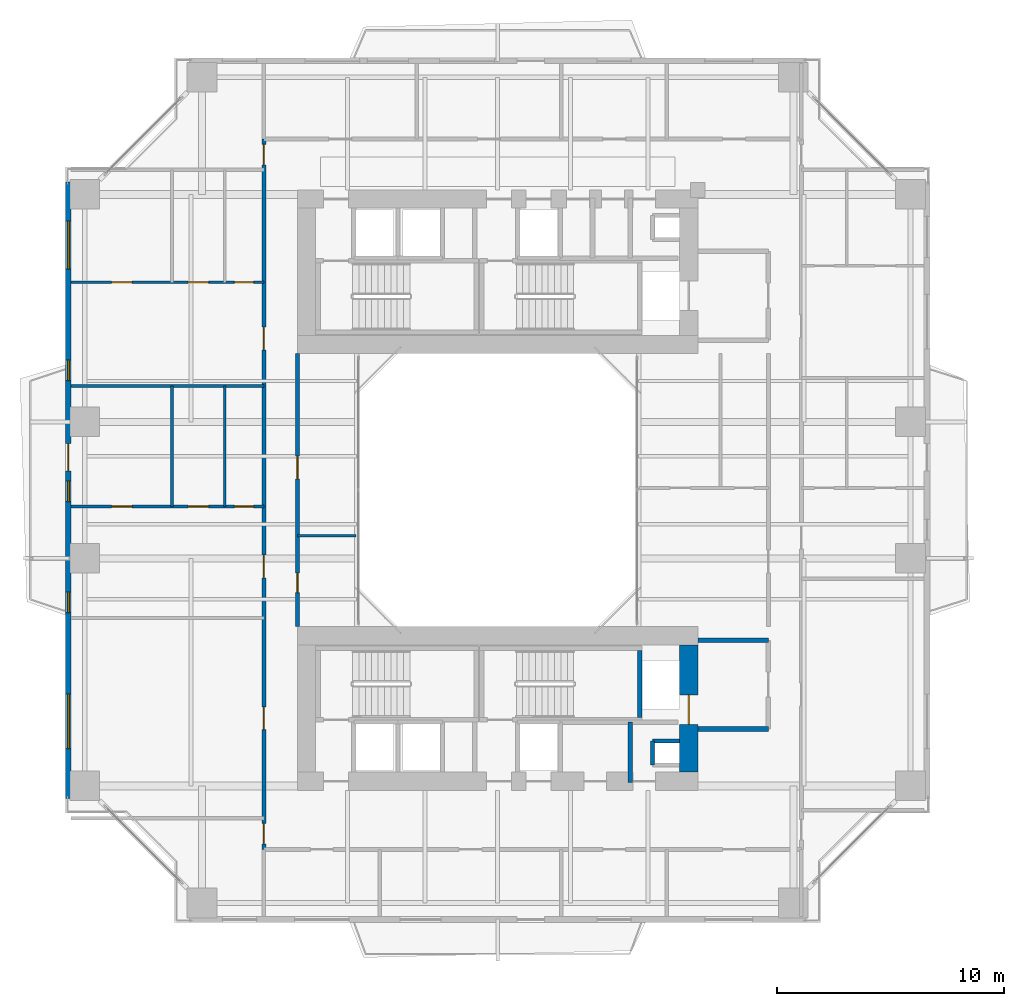
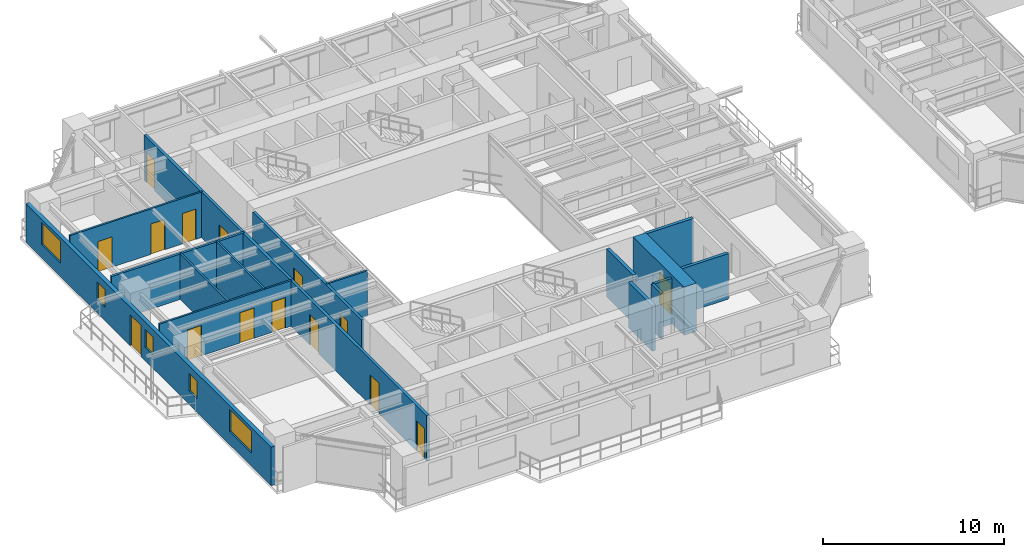
# One storey, part 13 of 23: 16 walls, 15 doors, 5 windows, 20 openings.
"""IFC4 building model written with IfcOpenShell, lengths in metres."""

from ifc_helpers import new_model, si_unit, direction, frame, frame_2d, origin, place, context, subcontext, project, spatial, rectangle, extrude, source, transform, mapped, material, layer, layer_set, type_object, element, fill, save


model = new_model("IFC4")

# Units and contexts
model_context = context("Model", 3, precision=1e-05, world=origin(), true_north=direction((0.0, 1.0)))
body_context = subcontext(model_context, "Body", "Model", "MODEL_VIEW")
ifc_project = project(units=[si_unit("LENGTHUNIT", "METRE"), si_unit("AREAUNIT", "SQUARE_METRE"), si_unit("VOLUMEUNIT", "CUBIC_METRE"), si_unit("PLANEANGLEUNIT", "RADIAN"), si_unit("MASSUNIT", "GRAM", prefix="KILO"), si_unit("THERMODYNAMICTEMPERATUREUNIT", "KELVIN"), si_unit("POWERUNIT", "WATT")], contexts=[model_context])

# Site, building, storey
site_placement = place(None, origin())
site = spatial("IfcSite", under=ifc_project, at=site_placement, CompositionType="ELEMENT")
building_placement = place(site_placement, origin())
building = spatial("IfcBuilding", under=site, at=building_placement, Name="Qiaomeng Ring Towers", CompositionType="ELEMENT")
storey_placement = place(building_placement, frame((0.0, 0.0, 39.25)))
storey = spatial("IfcBuildingStorey", under=building, at=storey_placement, Name="L10", CompositionType="ELEMENT", Elevation=39.25)

# Wall, openings, windows, door
ifc_material_1 = material(Name="Precast concrete C40", Category="concrete")
ifc_layer_1 = layer(ifc_material_1, 0.25, Name="Precast concrete C40")
ifc_layer_set_1 = layer_set([ifc_layer_1], Name="Precast concrete C40")
wall_type_1 = type_object("IfcWallType", Name="ARC-WL-EW1", PredefinedType="STANDARD", material=ifc_layer_set_1)
wall_1_placement = place(storey_placement, frame((0.125, 9.449951171875, 0.0), z_axis=(0.0, 0.0, 1.0), x_axis=(0.0, 1.0, 0.0)))
wall_1 = element("IfcWall", 1, at=wall_1_placement, inside=storey, type_object=wall_type_1, Name="L10 Tower 1 W Exterior Wall", PredefinedType="STANDARD", context=body_context, shape_type="SweptSolid", body=[
    extrude(rectangle(XDim=27.10009765625, YDim=0.25, at=frame_2d((13.550048828125, 0.0))), origin(), (0.0, 0.0, 1.0), 2.610107421875),
])
opening_1_placement = place(wall_1_placement, frame((14.39990234375, 0.0, 0.0)))
opening_1 = element("IfcOpeningElement", 2, at=opening_1_placement, cuts=wall_1, Name="Opening BD1", PredefinedType="OPENING", context=body_context, shape_type="SweptSolid", body=[
    extrude(rectangle(XDim=1.199951171875, YDim=2.10009765625, at=frame_2d((0.60009765625, 1.050048828125))), frame((0.0, 0.135009765625, 0.0), z_axis=(0.0, -1.0, 0.0), x_axis=(1.0, 0.0, 0.0)), (0.0, 0.0, 1.0), 0.27001953125),
])
opening_2_placement = place(wall_1_placement, frame((2.18798828125, 0.0, 0.89990234375)))
opening_2 = element("IfcOpeningElement", 3, at=opening_2_placement, cuts=wall_1, Name="Opening WN6", PredefinedType="OPENING", context=body_context, shape_type="SweptSolid", body=[
    extrude(rectangle(XDim=2.39990234375, YDim=1.47998046875, at=frame_2d((1.199951171875, 0.739990234375))), frame((0.0, 0.135009765625, 0.0), z_axis=(0.0, -1.0, 0.0), x_axis=(1.0, 0.0, 0.0)), (0.0, 0.0, 1.0), 0.27001953125),
])
opening_3_placement = place(wall_1_placement, frame((23.2724609375, 0.0, 0.89990234375)))
opening_3 = element("IfcOpeningElement", 4, at=opening_3_placement, cuts=wall_1, Name="Opening WN4", PredefinedType="OPENING", context=body_context, shape_type="SweptSolid", body=[
    extrude(rectangle(XDim=2.10009765625, YDim=1.5, at=frame_2d((1.050048828125, 0.75))), frame((0.0, 0.135009765625, 0.0), z_axis=(0.0, -1.0, 0.0), x_axis=(1.0, 0.0, 0.0)), (0.0, 0.0, 1.0), 0.27001953125),
])
opening_4_placement = place(wall_1_placement, frame((13.050048828125, 0.0, 0.89990234375)))
opening_4 = element("IfcOpeningElement", 5, at=opening_4_placement, cuts=wall_1, Name="Opening WN5", PredefinedType="OPENING", context=body_context, shape_type="SweptSolid", body=[
    extrude(rectangle(XDim=0.89990234375, YDim=1.199951171875, at=frame_2d((0.449951171875, 0.60009765625))), frame((0.0, 0.135009765625, 0.0), z_axis=(0.0, -1.0, 0.0), x_axis=(1.0, 0.0, 0.0)), (0.0, 0.0, 1.0), 0.27001953125),
])
opening_5_placement = place(wall_1_placement, frame((8.1650390625, 0.0, 0.89990234375)))
opening_5 = element("IfcOpeningElement", 6, at=opening_5_placement, cuts=wall_1, Name="Opening WN5", PredefinedType="OPENING", context=body_context, shape_type="SweptSolid", body=[
    extrude(rectangle(XDim=0.89990234375, YDim=1.199951171875, at=frame_2d((0.449951171875, 0.60009765625))), frame((0.0, 0.135009765625, 0.0), z_axis=(0.0, -1.0, 0.0), x_axis=(1.0, 0.0, 0.0)), (0.0, 0.0, 1.0), 0.27001953125),
])
opening_6_placement = place(wall_1_placement, frame((18.364990234375, 0.0, 0.89990234375)))
opening_6 = element("IfcOpeningElement", 7, at=opening_6_placement, cuts=wall_1, Name="Opening WN5", PredefinedType="OPENING", context=body_context, shape_type="SweptSolid", body=[
    extrude(rectangle(XDim=0.89990234375, YDim=1.199951171875, at=frame_2d((0.449951171875, 0.60009765625))), frame((0.0, 0.135009765625, 0.0), z_axis=(0.0, -1.0, 0.0), x_axis=(1.0, 0.0, 0.0)), (0.0, 0.0, 1.0), 0.27001953125),
])
ifc_material_2 = material(Name="Low-E dark-grey laminated double glazing", Category="glass")
window_type_1 = type_object("IfcWindowType", Name="ARC-WN-4", PartitioningType="TRIPLE_PANEL_VERTICAL", PredefinedType="WINDOW", material=ifc_material_2)
shared_shape_1 = source(origin(), body_context, "Body", "SweptSolid", [
    extrude(rectangle(XDim=2.10009765625, YDim=1.5, at=frame_2d((1.050048828125, 0.75))), frame((0.0, 0.030029296875, 0.0), z_axis=(0.0, -1.0, 0.0), x_axis=(1.0, 0.0, 0.0)), (0.0, 0.0, 1.0), 0.06005859375),
])
window_1_placement = place(opening_3_placement, origin())
window_1 = element("IfcWindow", 8, at=window_1_placement, inside=storey, type_object=window_type_1, Name="L10 Exterior Window WN4", OverallHeight=1.5, OverallWidth=2.10009765625, PartitioningType="TRIPLE_PANEL_VERTICAL", PredefinedType="WINDOW", context=body_context, shape_type="MappedRepresentation", body=[
    mapped(shared_shape_1, transform((0.0, 0.0, 0.0), x_axis=(1.0, 0.0, 0.0), y_axis=(0.0, 1.0, 0.0), z_axis=(0.0, 0.0, 1.0), scale=1.0)),
])
fill(opening_3, window_1)
window_type_2 = type_object("IfcWindowType", Name="ARC-WN-6", PartitioningType="TRIPLE_PANEL_VERTICAL", PredefinedType="WINDOW", material=ifc_material_2)
shared_shape_2 = source(origin(), body_context, "Body", "SweptSolid", [
    extrude(rectangle(XDim=2.39990234375, YDim=1.47998046875, at=frame_2d((1.199951171875, 0.739990234375))), frame((0.0, 0.030029296875, 0.0), z_axis=(0.0, -1.0, 0.0), x_axis=(1.0, 0.0, 0.0)), (0.0, 0.0, 1.0), 0.06005859375),
])
window_2_placement = place(opening_2_placement, origin())
window_2 = element("IfcWindow", 9, at=window_2_placement, inside=storey, type_object=window_type_2, Name="L10 Exterior Window WN6", OverallHeight=1.47998046875, OverallWidth=2.39990234375, PartitioningType="TRIPLE_PANEL_VERTICAL", PredefinedType="WINDOW", context=body_context, shape_type="MappedRepresentation", body=[
    mapped(shared_shape_2, transform((0.0, 0.0, 0.0), x_axis=(1.0, 0.0, 0.0), y_axis=(0.0, 1.0, 0.0), z_axis=(0.0, 0.0, 1.0), scale=1.0)),
])
fill(opening_2, window_2)
door_type_1 = type_object("IfcDoorType", Name="ARC-DR-BD1", OperationType="NOTDEFINED", PredefinedType="DOOR", material=ifc_material_2)
shared_shape_3 = source(origin(), body_context, "Body", "SweptSolid", [
    extrude(rectangle(XDim=1.199951171875, YDim=2.10009765625, at=frame_2d((0.60009765625, 1.050048828125))), frame((0.0, 0.02490234375, 0.0), z_axis=(0.0, -1.0, 0.0), x_axis=(1.0, 0.0, 0.0)), (0.0, 0.0, 1.0), 0.050048828125),
])
door_1_placement = place(opening_1_placement, frame((1.199951171875, 0.0, 0.0), z_axis=(0.0, 0.0, 1.0), x_axis=(-1.0, 0.0, 0.0)))
door_1 = element("IfcDoor", 10, at=door_1_placement, inside=storey, type_object=door_type_1, Name="L10 W Balcony Glazed Door", OperationType="SINGLE_SWING_LEFT", OverallHeight=2.10009765625, OverallWidth=1.199951171875, PredefinedType="DOOR", context=body_context, shape_type="MappedRepresentation", body=[
    mapped(shared_shape_3, transform((0.0, 0.0, 0.0), x_axis=(1.0, 0.0, 0.0), y_axis=(0.0, 1.0, 0.0), z_axis=(0.0, 0.0, 1.0), scale=1.0)),
])
fill(opening_1, door_1)
window_type_3 = type_object("IfcWindowType", Name="ARC-WN-5", PartitioningType="SINGLE_PANEL", PredefinedType="WINDOW", material=ifc_material_2)
shared_shape_4 = source(origin(), body_context, "Body", "SweptSolid", [
    extrude(rectangle(XDim=0.89990234375, YDim=1.199951171875, at=frame_2d((0.449951171875, 0.60009765625))), frame((0.0, 0.030029296875, 0.0), z_axis=(0.0, -1.0, 0.0), x_axis=(1.0, 0.0, 0.0)), (0.0, 0.0, 1.0), 0.06005859375),
])
window_3_placement = place(opening_4_placement, origin())
window_3 = element("IfcWindow", 11, at=window_3_placement, inside=storey, type_object=window_type_3, Name="L10 Exterior Window WN5", OverallHeight=1.199951171875, OverallWidth=0.89990234375, PartitioningType="SINGLE_PANEL", PredefinedType="WINDOW", context=body_context, shape_type="MappedRepresentation", body=[
    mapped(shared_shape_4, transform((0.0, 0.0, 0.0), x_axis=(1.0, 0.0, 0.0), y_axis=(0.0, 1.0, 0.0), z_axis=(0.0, 0.0, 1.0), scale=1.0)),
])
fill(opening_4, window_3)
window_4_placement = place(opening_5_placement, origin())
window_4 = element("IfcWindow", 12, at=window_4_placement, inside=storey, type_object=window_type_3, Name="L10 Exterior Window WN5", OverallHeight=1.199951171875, OverallWidth=0.89990234375, PartitioningType="SINGLE_PANEL", PredefinedType="WINDOW", context=body_context, shape_type="MappedRepresentation", body=[
    mapped(shared_shape_4, transform((0.0, 0.0, 0.0), x_axis=(1.0, 0.0, 0.0), y_axis=(0.0, 1.0, 0.0), z_axis=(0.0, 0.0, 1.0), scale=1.0)),
])
fill(opening_5, window_4)
window_5_placement = place(opening_6_placement, origin())
window_5 = element("IfcWindow", 13, at=window_5_placement, inside=storey, type_object=window_type_3, Name="L10 Exterior Window WN5", OverallHeight=1.199951171875, OverallWidth=0.89990234375, PartitioningType="SINGLE_PANEL", PredefinedType="WINDOW", context=body_context, shape_type="MappedRepresentation", body=[
    mapped(shared_shape_4, transform((0.0, 0.0, 0.0), x_axis=(1.0, 0.0, 0.0), y_axis=(0.0, 1.0, 0.0), z_axis=(0.0, 0.0, 1.0), scale=1.0)),
])
fill(opening_6, window_5)

# Walls
ifc_material_3 = material(Name="Autoclaved aerated concrete block", Category="concrete")
ifc_layer_2 = layer(ifc_material_3, 0.199951171875, Name="Autoclaved aerated concrete block")
ifc_layer_set_2 = layer_set([ifc_layer_2], Name="Autoclaved aerated concrete block")
wall_type_2 = type_object("IfcWallType", Name="ARC-WL-PW1", PredefinedType="PARTITIONING", material=ifc_layer_set_2)
for number, where, z_axis, x_axis, name in (
    (14, (27.800048828125, 16.39990234375, 0.0), (0.0, 0.0, 1.0), (1.0, 0.0, 0.0), "L10 Interior Wall PW1"),
    (15, (27.800048828125, 12.5, 0.0), (0.0, 0.0, 1.0), (1.0, 0.0, 0.0), "L10 Interior Wall PW1"),
):
    element("IfcWall", number, at=place(storey_placement, frame(where, z_axis=z_axis, x_axis=x_axis)), inside=storey, type_object=wall_type_2, Name=name, PredefinedType="PARTITIONING", context=body_context, shape_type="SweptSolid", body=[
        extrude(rectangle(XDim=3.099853515625, YDim=0.199951171875, at=frame_2d((1.5498046875, 0.0))), origin(), (0.0, 0.0, 1.0), 3.070068359375),
    ])
wall_2_placement = place(storey_placement, frame((24.820068359375, 10.14990234375, 0.0), z_axis=(0.0, 0.0, 1.0), x_axis=(0.0, 1.0, 0.0)))
element("IfcWall", 16, at=wall_2_placement, inside=storey, type_object=wall_type_2, Name="L10 Interior Wall PW1", PredefinedType="PARTITIONING", context=body_context, shape_type="SweptSolid", body=[
    extrude(rectangle(XDim=2.650146484375, YDim=0.199951171875, at=frame_2d((1.3251953125, 0.0))), origin(), (0.0, 0.0, 1.0), 3.070068359375),
])

# Wall, openings, doors
ifc_layer_3 = layer(ifc_material_3, 0.179931640625, Name="Autoclaved aerated concrete block")
ifc_layer_set_3 = layer_set([ifc_layer_3], Name="Autoclaved aerated concrete block")
wall_type_3 = type_object("IfcWallType", Name="ARC-WL-PW2", PredefinedType="PARTITIONING", material=ifc_layer_set_3)
wall_3_placement = place(storey_placement, frame((8.719970703125, 7.2099609375, 0.0), z_axis=(0.0, 0.0, 1.0), x_axis=(0.0, 1.0, 0.0)))
wall_3 = element("IfcWall", 17, at=wall_3_placement, inside=storey, type_object=wall_type_3, Name="L10 Interior Wall PW2", PredefinedType="PARTITIONING", context=body_context, shape_type="SweptSolid", body=[
    extrude(rectangle(XDim=31.22998046875, YDim=0.179931640625, at=frame_2d((15.614990234375, 0.0))), origin(), (0.0, 0.0, 1.0), 3.070068359375),
])
opening_7_placement = place(wall_3_placement, frame((30.090087890625, 0.0, 0.0)))
opening_7 = element("IfcOpeningElement", 18, at=opening_7_placement, cuts=wall_3, Name="Opening ID1", PredefinedType="OPENING", context=body_context, shape_type="SweptSolid", body=[
    extrude(rectangle(XDim=0.89990234375, YDim=2.050048828125, at=frame_2d((0.449951171875, 1.02490234375))), frame((0.0, 0.099853515625, 0.0), z_axis=(0.0, -1.0, 0.0), x_axis=(1.0, 0.0, 0.0)), (0.0, 0.0, 1.0), 0.199951171875),
])
opening_8_placement = place(wall_3_placement, frame((0.239990234375, 0.0, 0.0)))
opening_8 = element("IfcOpeningElement", 19, at=opening_8_placement, cuts=wall_3, Name="Opening ID1", PredefinedType="OPENING", context=body_context, shape_type="SweptSolid", body=[
    extrude(rectangle(XDim=0.89990234375, YDim=2.050048828125, at=frame_2d((0.449951171875, 1.02490234375))), frame((0.0, 0.099853515625, 0.0), z_axis=(0.0, -1.0, 0.0), x_axis=(1.0, 0.0, 0.0)), (0.0, 0.0, 1.0), 0.199951171875),
])
opening_9_placement = place(wall_3_placement, frame((5.264892578125, 0.0, 0.0)))
opening_9 = element("IfcOpeningElement", 20, at=opening_9_placement, cuts=wall_3, Name="Opening FD4", PredefinedType="OPENING", context=body_context, shape_type="SweptSolid", body=[
    extrude(rectangle(XDim=1.0, YDim=2.050048828125, at=frame_2d((0.5, 1.02490234375))), frame((0.0, 0.099853515625, 0.0), z_axis=(0.0, -1.0, 0.0), x_axis=(1.0, 0.0, 0.0)), (0.0, 0.0, 1.0), 0.199951171875),
])
opening_10_placement = place(wall_3_placement, frame((11.929931640625, 0.0, 0.0)))
opening_10 = element("IfcOpeningElement", 21, at=opening_10_placement, cuts=wall_3, Name="Opening FD4", PredefinedType="OPENING", context=body_context, shape_type="SweptSolid", body=[
    extrude(rectangle(XDim=1.0, YDim=2.050048828125, at=frame_2d((0.5, 1.02490234375))), frame((0.0, 0.099853515625, 0.0), z_axis=(0.0, -1.0, 0.0), x_axis=(1.0, 0.0, 0.0)), (0.0, 0.0, 1.0), 0.199951171875),
])
opening_11_placement = place(wall_3_placement, frame((21.9599609375, 0.0, 0.0)))
opening_11 = element("IfcOpeningElement", 22, at=opening_11_placement, cuts=wall_3, Name="Opening FD4", PredefinedType="OPENING", context=body_context, shape_type="SweptSolid", body=[
    extrude(rectangle(XDim=1.0, YDim=2.050048828125, at=frame_2d((0.5, 1.02490234375))), frame((0.0, 0.099853515625, 0.0), z_axis=(0.0, -1.0, 0.0), x_axis=(1.0, 0.0, 0.0)), (0.0, 0.0, 1.0), 0.199951171875),
])
ifc_material_4 = material(Name="Engineered fire-rated oak timber", Category="wood")
door_type_2 = type_object("IfcDoorType", Name="ARC-DR-FD4", OperationType="NOTDEFINED", PredefinedType="DOOR", material=ifc_material_4)
shared_shape_5 = source(origin(), body_context, "Body", "SweptSolid", [
    extrude(rectangle(XDim=1.0, YDim=2.050048828125, at=frame_2d((0.5, 1.02490234375))), frame((0.0, 0.02490234375, 0.0), z_axis=(0.0, -1.0, 0.0), x_axis=(1.0, 0.0, 0.0)), (0.0, 0.0, 1.0), 0.050048828125),
])
door_2_placement = place(opening_9_placement, origin())
door_2 = element("IfcDoor", 23, at=door_2_placement, inside=storey, type_object=door_type_2, Name="L10 Door FD4", OperationType="SINGLE_SWING_RIGHT", OverallHeight=2.050048828125, OverallWidth=1.0, PredefinedType="DOOR", context=body_context, shape_type="MappedRepresentation", body=[
    mapped(shared_shape_5, transform((0.0, 0.0, 0.0), x_axis=(1.0, 0.0, 0.0), y_axis=(0.0, 1.0, 0.0), z_axis=(0.0, 0.0, 1.0), scale=1.0)),
])
fill(opening_9, door_2)
door_3_placement = place(opening_10_placement, origin())
door_3 = element("IfcDoor", 24, at=door_3_placement, inside=storey, type_object=door_type_2, Name="L10 Door FD4", OperationType="SINGLE_SWING_RIGHT", OverallHeight=2.050048828125, OverallWidth=1.0, PredefinedType="DOOR", context=body_context, shape_type="MappedRepresentation", body=[
    mapped(shared_shape_5, transform((0.0, 0.0, 0.0), x_axis=(1.0, 0.0, 0.0), y_axis=(0.0, 1.0, 0.0), z_axis=(0.0, 0.0, 1.0), scale=1.0)),
])
fill(opening_10, door_3)
door_4_placement = place(opening_11_placement, origin())
door_4 = element("IfcDoor", 25, at=door_4_placement, inside=storey, type_object=door_type_2, Name="L10 Door FD4", OperationType="SINGLE_SWING_RIGHT", OverallHeight=2.050048828125, OverallWidth=1.0, PredefinedType="DOOR", context=body_context, shape_type="MappedRepresentation", body=[
    mapped(shared_shape_5, transform((0.0, 0.0, 0.0), x_axis=(1.0, 0.0, 0.0), y_axis=(0.0, 1.0, 0.0), z_axis=(0.0, 0.0, 1.0), scale=1.0)),
])
fill(opening_11, door_4)
ifc_material_5 = material(Name="Engineered oak timber", Category="wood")
door_type_3 = type_object("IfcDoorType", Name="ARC-DR-ID1", OperationType="NOTDEFINED", PredefinedType="DOOR", material=ifc_material_5)
shared_shape_6 = source(origin(), body_context, "Body", "SweptSolid", [
    extrude(rectangle(XDim=0.89990234375, YDim=2.050048828125, at=frame_2d((0.449951171875, 1.02490234375))), frame((0.0, 0.02490234375, 0.0), z_axis=(0.0, -1.0, 0.0), x_axis=(1.0, 0.0, 0.0)), (0.0, 0.0, 1.0), 0.050048828125),
])
door_5_placement = place(opening_7_placement, origin())
door_5 = element("IfcDoor", 26, at=door_5_placement, inside=storey, type_object=door_type_3, Name="L10 Door ID1", OperationType="SINGLE_SWING_RIGHT", OverallHeight=2.050048828125, OverallWidth=0.89990234375, PredefinedType="DOOR", context=body_context, shape_type="MappedRepresentation", body=[
    mapped(shared_shape_6, transform((0.0, 0.0, 0.0), x_axis=(1.0, 0.0, 0.0), y_axis=(0.0, 1.0, 0.0), z_axis=(0.0, 0.0, 1.0), scale=1.0)),
])
fill(opening_7, door_5)
door_6_placement = place(opening_8_placement, origin())
door_6 = element("IfcDoor", 27, at=door_6_placement, inside=storey, type_object=door_type_3, Name="L10 Door ID1", OperationType="SINGLE_SWING_LEFT", OverallHeight=2.050048828125, OverallWidth=0.89990234375, PredefinedType="DOOR", context=body_context, shape_type="MappedRepresentation", body=[
    mapped(shared_shape_6, transform((0.0, 0.0, 0.0), x_axis=(1.0, 0.0, 0.0), y_axis=(0.0, 1.0, 0.0), z_axis=(0.0, 0.0, 1.0), scale=1.0)),
])
fill(opening_8, door_6)

wall_4_placement = place(storey_placement, frame((10.199951171875, 17.0, 0.0), z_axis=(0.0, 0.0, 1.0), x_axis=(0.0, 1.0, 0.0)))
wall_4 = element("IfcWall", 28, at=wall_4_placement, inside=storey, type_object=wall_type_3, Name="L10 Interior Wall PW2", PredefinedType="PARTITIONING", context=body_context, shape_type="SweptSolid", body=[
    extrude(rectangle(XDim=12.0, YDim=0.179931640625, at=frame_2d((6.0, 0.0))), origin(), (0.0, 0.0, 1.0), 3.070068359375),
])
opening_12_placement = place(wall_4_placement, frame((1.5, 0.0, 0.0)))
opening_12 = element("IfcOpeningElement", 29, at=opening_12_placement, cuts=wall_4, Name="Opening ID2", PredefinedType="OPENING", context=body_context, shape_type="SweptSolid", body=[
    extrude(rectangle(XDim=0.85009765625, YDim=2.050048828125, at=frame_2d((0.425048828125, 1.02490234375))), frame((0.0, 0.099853515625, 0.0), z_axis=(0.0, -1.0, 0.0), x_axis=(1.0, 0.0, 0.0)), (0.0, 0.0, 1.0), 0.199951171875),
])
opening_13_placement = place(wall_4_placement, frame((6.5, 0.0, 0.0)))
opening_13 = element("IfcOpeningElement", 30, at=opening_13_placement, cuts=wall_4, Name="Opening FD4", PredefinedType="OPENING", context=body_context, shape_type="SweptSolid", body=[
    extrude(rectangle(XDim=1.0, YDim=2.050048828125, at=frame_2d((0.5, 1.02490234375))), frame((0.0, 0.099853515625, 0.0), z_axis=(0.0, -1.0, 0.0), x_axis=(1.0, 0.0, 0.0)), (0.0, 0.0, 1.0), 0.199951171875),
])
door_7_placement = place(opening_13_placement, origin())
door_7 = element("IfcDoor", 31, at=door_7_placement, inside=storey, type_object=door_type_2, Name="L10 Door FD4", OperationType="SINGLE_SWING_RIGHT", OverallHeight=2.050048828125, OverallWidth=1.0, PredefinedType="DOOR", context=body_context, shape_type="MappedRepresentation", body=[
    mapped(shared_shape_5, transform((0.0, 0.0, 0.0), x_axis=(1.0, 0.0, 0.0), y_axis=(0.0, 1.0, 0.0), z_axis=(0.0, 0.0, 1.0), scale=1.0)),
])
fill(opening_13, door_7)
ifc_material_6 = material(Name="Moisture-resistant engineered timber", Category="wood")
door_type_4 = type_object("IfcDoorType", Name="ARC-DR-ID2", OperationType="NOTDEFINED", PredefinedType="DOOR", material=ifc_material_6)
shared_shape_7 = source(origin(), body_context, "Body", "SweptSolid", [
    extrude(rectangle(XDim=0.85009765625, YDim=2.050048828125, at=frame_2d((0.425048828125, 1.02490234375))), frame((0.0, 0.02490234375, 0.0), z_axis=(0.0, -1.0, 0.0), x_axis=(1.0, 0.0, 0.0)), (0.0, 0.0, 1.0), 0.050048828125),
])
door_8_placement = place(opening_12_placement, origin())
door_8 = element("IfcDoor", 32, at=door_8_placement, inside=storey, type_object=door_type_4, Name="L10 Door ID2", OperationType="SINGLE_SWING_LEFT", OverallHeight=2.050048828125, OverallWidth=0.85009765625, PredefinedType="DOOR", context=body_context, shape_type="MappedRepresentation", body=[
    mapped(shared_shape_7, transform((0.0, 0.0, 0.0), x_axis=(1.0, 0.0, 0.0), y_axis=(0.0, 1.0, 0.0), z_axis=(0.0, 0.0, 1.0), scale=1.0)),
])
fill(opening_12, door_8)

# Wall
ifc_material_7 = material(Name="Gypsum fireboard steel-stud partition", Category="steel")
ifc_layer_4 = layer(ifc_material_7, 0.14990234375, Name="Gypsum fireboard steel-stud partition")
ifc_layer_set_4 = layer_set([ifc_layer_4], Name="Gypsum fireboard steel-stud partition")
wall_type_4 = type_object("IfcWallType", Name="ARC-WL-PW3", PredefinedType="PARTITIONING", material=ifc_layer_set_4)
wall_5_placement = place(storey_placement, frame((0.25, 27.580078125, 0.0), z_axis=(0.0, 0.0, 1.0), x_axis=(1.0, 0.0, 0.0)))
element("IfcWall", 33, at=wall_5_placement, inside=storey, type_object=wall_type_4, Name="L10 Interior Wall PW3", PredefinedType="PARTITIONING", context=body_context, shape_type="SweptSolid", body=[
    extrude(rectangle(XDim=8.469970703125, YDim=0.14990234375, at=frame_2d((4.23486328125, 0.0))), origin(), (0.0, 0.0, 1.0), 3.070068359375),
])

# Wall, openings, doors
ifc_material_8 = material(Name="Moisture-resistant gypsum steel-stud partition", Category="steel")
ifc_layer_5 = layer(ifc_material_8, 0.1201171875, Name="Moisture-resistant gypsum steel-stud partition")
ifc_layer_set_5 = layer_set([ifc_layer_5], Name="Moisture-resistant gypsum steel-stud partition")
wall_type_5 = type_object("IfcWallType", Name="ARC-WL-PW4", PredefinedType="PLUMBINGWALL", material=ifc_layer_set_5)
wall_6_placement = place(storey_placement, frame((0.25, 22.280029296875, 0.0), z_axis=(0.0, 0.0, 1.0), x_axis=(1.0, 0.0, 0.0)))
wall_6 = element("IfcWall", 34, at=wall_6_placement, inside=storey, type_object=wall_type_5, Name="L10 Interior Wall PW4", PredefinedType="PLUMBINGWALL", context=body_context, shape_type="SweptSolid", body=[
    extrude(rectangle(XDim=8.469970703125, YDim=0.1201171875, at=frame_2d((4.23486328125, 0.0))), origin(), (0.0, 0.0, 1.0), 3.070068359375),
])
opening_14_placement = place(wall_6_placement, frame((1.77490234375, 0.0, 0.0)))
opening_14 = element("IfcOpeningElement", 35, at=opening_14_placement, cuts=wall_6, Name="Opening ID1", PredefinedType="OPENING", context=body_context, shape_type="SweptSolid", body=[
    extrude(rectangle(XDim=0.89990234375, YDim=2.050048828125, at=frame_2d((0.449951171875, 1.02490234375))), frame((0.0, 0.070068359375, 0.0), z_axis=(0.0, -1.0, 0.0), x_axis=(1.0, 0.0, 0.0)), (0.0, 0.0, 1.0), 0.14013671875),
])
opening_15_placement = place(wall_6_placement, frame((5.139892578125, 0.0, 0.0)))
opening_15 = element("IfcOpeningElement", 36, at=opening_15_placement, cuts=wall_6, Name="Opening ID1", PredefinedType="OPENING", context=body_context, shape_type="SweptSolid", body=[
    extrude(rectangle(XDim=0.89990234375, YDim=2.050048828125, at=frame_2d((0.449951171875, 1.02490234375))), frame((0.0, 0.070068359375, 0.0), z_axis=(0.0, -1.0, 0.0), x_axis=(1.0, 0.0, 0.0)), (0.0, 0.0, 1.0), 0.14013671875),
])
opening_16_placement = place(wall_6_placement, frame((7.175048828125, 0.0, 0.0)))
opening_16 = element("IfcOpeningElement", 37, at=opening_16_placement, cuts=wall_6, Name="Opening ID2", PredefinedType="OPENING", context=body_context, shape_type="SweptSolid", body=[
    extrude(rectangle(XDim=0.85009765625, YDim=2.050048828125, at=frame_2d((0.425048828125, 1.02490234375))), frame((0.0, 0.070068359375, 0.0), z_axis=(0.0, -1.0, 0.0), x_axis=(1.0, 0.0, 0.0)), (0.0, 0.0, 1.0), 0.14013671875),
])
door_9_placement = place(opening_16_placement, origin())
door_9 = element("IfcDoor", 38, at=door_9_placement, inside=storey, type_object=door_type_4, Name="L10 Door ID2", OperationType="SINGLE_SWING_LEFT", OverallHeight=2.050048828125, OverallWidth=0.85009765625, PredefinedType="DOOR", context=body_context, shape_type="MappedRepresentation", body=[
    mapped(shared_shape_7, transform((0.0, 0.0, 0.0), x_axis=(1.0, 0.0, 0.0), y_axis=(0.0, 1.0, 0.0), z_axis=(0.0, 0.0, 1.0), scale=1.0)),
])
fill(opening_16, door_9)
door_10_placement = place(opening_14_placement, origin())
door_10 = element("IfcDoor", 39, at=door_10_placement, inside=storey, type_object=door_type_3, Name="L10 Door ID1", OperationType="SINGLE_SWING_LEFT", OverallHeight=2.050048828125, OverallWidth=0.89990234375, PredefinedType="DOOR", context=body_context, shape_type="MappedRepresentation", body=[
    mapped(shared_shape_6, transform((0.0, 0.0, 0.0), x_axis=(1.0, 0.0, 0.0), y_axis=(0.0, 1.0, 0.0), z_axis=(0.0, 0.0, 1.0), scale=1.0)),
])
fill(opening_14, door_10)
door_11_placement = place(opening_15_placement, origin())
door_11 = element("IfcDoor", 40, at=door_11_placement, inside=storey, type_object=door_type_3, Name="L10 Door ID1", OperationType="SINGLE_SWING_RIGHT", OverallHeight=2.050048828125, OverallWidth=0.89990234375, PredefinedType="DOOR", context=body_context, shape_type="MappedRepresentation", body=[
    mapped(shared_shape_6, transform((0.0, 0.0, 0.0), x_axis=(1.0, 0.0, 0.0), y_axis=(0.0, 1.0, 0.0), z_axis=(0.0, 0.0, 1.0), scale=1.0)),
])
fill(opening_15, door_11)

# Walls
for number, where, z_axis, x_axis, name in (
    (41, (4.679931640625, 22.280029296875, 0.0), (0.0, 0.0, 1.0), (0.0, 1.0, 0.0), "L10 Interior Wall PW4"),
    (42, (7.0, 22.280029296875, 0.0), (0.0, 0.0, 1.0), (0.0, 1.0, 0.0), "L10 Interior Wall PW4"),
):
    element("IfcWall", number, at=place(storey_placement, frame(where, z_axis=z_axis, x_axis=x_axis)), inside=storey, type_object=wall_type_5, Name=name, PredefinedType="PLUMBINGWALL", context=body_context, shape_type="SweptSolid", body=[
        extrude(rectangle(XDim=5.300048828125, YDim=0.1201171875, at=frame_2d((2.64990234375, 0.0))), origin(), (0.0, 0.0, 1.0), 3.070068359375),
    ])

# Wall, openings, doors
wall_7_placement = place(storey_placement, frame((0.25, 32.139892578125, 0.0), z_axis=(0.0, 0.0, 1.0), x_axis=(1.0, 0.0, 0.0)))
wall_7 = element("IfcWall", 43, at=wall_7_placement, inside=storey, type_object=wall_type_5, Name="L10 Interior Wall PW4", PredefinedType="PLUMBINGWALL", context=body_context, shape_type="SweptSolid", body=[
    extrude(rectangle(XDim=8.469970703125, YDim=0.1201171875, at=frame_2d((4.23486328125, 0.0))), origin(), (0.0, 0.0, 1.0), 3.070068359375),
])
opening_17_placement = place(wall_7_placement, frame((1.77490234375, 0.0, 0.0)))
opening_17 = element("IfcOpeningElement", 44, at=opening_17_placement, cuts=wall_7, Name="Opening ID1", PredefinedType="OPENING", context=body_context, shape_type="SweptSolid", body=[
    extrude(rectangle(XDim=0.89990234375, YDim=2.050048828125, at=frame_2d((0.449951171875, 1.02490234375))), frame((0.0, 0.070068359375, 0.0), z_axis=(0.0, -1.0, 0.0), x_axis=(1.0, 0.0, 0.0)), (0.0, 0.0, 1.0), 0.14013671875),
])
opening_18_placement = place(wall_7_placement, frame((5.139892578125, 0.0, 0.0)))
opening_18 = element("IfcOpeningElement", 45, at=opening_18_placement, cuts=wall_7, Name="Opening ID1", PredefinedType="OPENING", context=body_context, shape_type="SweptSolid", body=[
    extrude(rectangle(XDim=0.89990234375, YDim=2.050048828125, at=frame_2d((0.449951171875, 1.02490234375))), frame((0.0, 0.070068359375, 0.0), z_axis=(0.0, -1.0, 0.0), x_axis=(1.0, 0.0, 0.0)), (0.0, 0.0, 1.0), 0.14013671875),
])
opening_19_placement = place(wall_7_placement, frame((7.175048828125, 0.0, 0.0)))
opening_19 = element("IfcOpeningElement", 46, at=opening_19_placement, cuts=wall_7, Name="Opening ID2", PredefinedType="OPENING", context=body_context, shape_type="SweptSolid", body=[
    extrude(rectangle(XDim=0.85009765625, YDim=2.050048828125, at=frame_2d((0.425048828125, 1.02490234375))), frame((0.0, 0.070068359375, 0.0), z_axis=(0.0, -1.0, 0.0), x_axis=(1.0, 0.0, 0.0)), (0.0, 0.0, 1.0), 0.14013671875),
])
door_12_placement = place(opening_19_placement, origin())
door_12 = element("IfcDoor", 47, at=door_12_placement, inside=storey, type_object=door_type_4, Name="L10 Door ID2", OperationType="SINGLE_SWING_LEFT", OverallHeight=2.050048828125, OverallWidth=0.85009765625, PredefinedType="DOOR", context=body_context, shape_type="MappedRepresentation", body=[
    mapped(shared_shape_7, transform((0.0, 0.0, 0.0), x_axis=(1.0, 0.0, 0.0), y_axis=(0.0, 1.0, 0.0), z_axis=(0.0, 0.0, 1.0), scale=1.0)),
])
fill(opening_19, door_12)
door_13_placement = place(opening_17_placement, origin())
door_13 = element("IfcDoor", 48, at=door_13_placement, inside=storey, type_object=door_type_3, Name="L10 Door ID1", OperationType="SINGLE_SWING_LEFT", OverallHeight=2.050048828125, OverallWidth=0.89990234375, PredefinedType="DOOR", context=body_context, shape_type="MappedRepresentation", body=[
    mapped(shared_shape_6, transform((0.0, 0.0, 0.0), x_axis=(1.0, 0.0, 0.0), y_axis=(0.0, 1.0, 0.0), z_axis=(0.0, 0.0, 1.0), scale=1.0)),
])
fill(opening_17, door_13)
door_14_placement = place(opening_18_placement, origin())
door_14 = element("IfcDoor", 49, at=door_14_placement, inside=storey, type_object=door_type_3, Name="L10 Door ID1", OperationType="SINGLE_SWING_RIGHT", OverallHeight=2.050048828125, OverallWidth=0.89990234375, PredefinedType="DOOR", context=body_context, shape_type="MappedRepresentation", body=[
    mapped(shared_shape_6, transform((0.0, 0.0, 0.0), x_axis=(1.0, 0.0, 0.0), y_axis=(0.0, 1.0, 0.0), z_axis=(0.0, 0.0, 1.0), scale=1.0)),
])
fill(opening_18, door_14)

# Walls
wall_8_placement = place(storey_placement, frame((10.199951171875, 21.0, 0.0), z_axis=(0.0, 0.0, 1.0), x_axis=(1.0, 0.0, 0.0)))
element("IfcWall", 50, at=wall_8_placement, inside=storey, type_object=wall_type_5, Name="L10 Interior Wall PW4", PredefinedType="PLUMBINGWALL", context=body_context, shape_type="SweptSolid", body=[
    extrude(rectangle(XDim=2.580078125, YDim=0.1201171875, at=frame_2d((1.2900390625, 0.0))), origin(), (0.0, 0.0, 1.0), 3.070068359375),
])
ifc_material_9 = material(Name="Concrete C40", Category="concrete")
ifc_layer_6 = layer(ifc_material_9, 0.199951171875, Name="Concrete C40")
ifc_layer_set_6 = layer_set([ifc_layer_6], Name="Concrete C40")
wall_type_6 = type_object("IfcWallType", Name="STR-WL-STSHAFT", PredefinedType="SHEAR", material=ifc_layer_set_6)
wall_9_placement = place(storey_placement, frame((25.800048828125, 10.919921875, 0.0), z_axis=(0.0, 0.0, 1.0), x_axis=(0.0, 1.0, 0.0)))
element("IfcWall", 51, at=wall_9_placement, inside=storey, type_object=wall_type_6, Name="L10 Riser RSR1 West Shaft Wall S", PredefinedType="SHEAR", context=body_context, shape_type="SweptSolid", body=[
    extrude(rectangle(XDim=1.06005859375, YDim=0.179931640625, at=frame_2d((0.530029296875, 0.0))), origin(), (0.0, 0.0, 1.0), 3.070068359375),
])
wall_10_placement = place(storey_placement, frame((25.800048828125, 11.97998046875, 0.0), z_axis=(0.0, 0.0, 1.0), x_axis=(1.0, 0.0, 0.0)))
element("IfcWall", 52, at=wall_10_placement, inside=storey, type_object=wall_type_6, Name="L10 Riser RSR1 North Shaft Wall S", PredefinedType="SHEAR", context=body_context, shape_type="SweptSolid", body=[
    extrude(rectangle(XDim=1.199951171875, YDim=0.179931640625, at=frame_2d((0.60009765625, 0.0))), origin(), (0.0, 0.0, 1.0), 3.070068359375),
])
wall_11_placement = place(storey_placement, frame((25.25, 13.010009765625, 0.0), z_axis=(0.0, 0.0, 1.0), x_axis=(0.0, 1.0, 0.0)))
element("IfcWall", 53, at=wall_11_placement, inside=storey, type_object=wall_type_6, Name="L10 Stair ST4 East Shaft Shear Wall", PredefinedType="SHEAR", context=body_context, shape_type="SweptSolid", body=[
    extrude(rectangle(XDim=2.93994140625, YDim=0.199951171875, at=frame_2d((1.469970703125, 0.0))), origin(), (0.0, 0.0, 1.0), 3.25),
])

# Wall, opening, door
ifc_material_10 = material(Name="Concrete C60", Category="concrete")
ifc_layer_7 = layer(ifc_material_10, 0.800048828125, Name="Concrete C60")
ifc_layer_set_7 = layer_set([ifc_layer_7], Name="Concrete C60")
wall_type_7 = type_object("IfcWallType", Name="STR-WL-SW1", PredefinedType="SHEAR", material=ifc_layer_set_7)
wall_12_placement = place(storey_placement, frame((27.39990234375, 10.60009765625, 0.0), z_axis=(0.0, 0.0, 1.0), x_axis=(0.0, 1.0, 0.0)))
wall_12 = element("IfcWall", 54, at=wall_12_placement, inside=storey, type_object=wall_type_7, Name="L10 T1SC east core shear wall", PredefinedType="SHEAR", context=body_context, shape_type="SweptSolid", body=[
    extrude(rectangle(XDim=5.599853515625, YDim=0.800048828125, at=frame_2d((2.7998046875, 0.0))), origin(), (0.0, 0.0, 1.0), 3.25),
])
opening_20_placement = place(wall_12_placement, frame((2.10009765625, 0.0, 0.0)))
opening_20 = element("IfcOpeningElement", 55, at=opening_20_placement, cuts=wall_12, Name="Opening LD2", PredefinedType="OPENING", context=body_context, shape_type="SweptSolid", body=[
    extrude(rectangle(XDim=1.300048828125, YDim=2.050048828125, at=frame_2d((0.64990234375, 1.02490234375))), frame((0.0, 0.409912109375, 0.0), z_axis=(0.0, -1.0, 0.0), x_axis=(1.0, 0.0, 0.0)), (0.0, 0.0, 1.0), 0.820068359375),
])
ifc_material_11 = material(Name="Stainless steel 316", Category="steel")
door_type_5 = type_object("IfcDoorType", Name="ARC-DR-LD2", OperationType="NOTDEFINED", PredefinedType="DOOR", material=ifc_material_11)
shared_shape_8 = source(origin(), body_context, "Body", "SweptSolid", [
    extrude(rectangle(XDim=1.300048828125, YDim=2.050048828125, at=frame_2d((0.64990234375, 1.02490234375))), frame((0.0, 0.02490234375, 0.0), z_axis=(0.0, -1.0, 0.0), x_axis=(1.0, 0.0, 0.0)), (0.0, 0.0, 1.0), 0.050048828125),
])
door_15_placement = place(opening_20_placement, origin())
door_15 = element("IfcDoor", 56, at=door_15_placement, inside=storey, type_object=door_type_5, Name="L10 Firefighting Lift FL2 Landing Door", OperationType="SLIDING_TO_RIGHT", OverallHeight=2.050048828125, OverallWidth=1.300048828125, PredefinedType="DOOR", context=body_context, shape_type="MappedRepresentation", body=[
    mapped(shared_shape_8, transform((0.0, 0.0, 0.0), x_axis=(1.0, 0.0, 0.0), y_axis=(0.0, 1.0, 0.0), z_axis=(0.0, 0.0, 1.0), scale=1.0)),
])
fill(opening_20, door_15)

save(model, "model.ifc")
